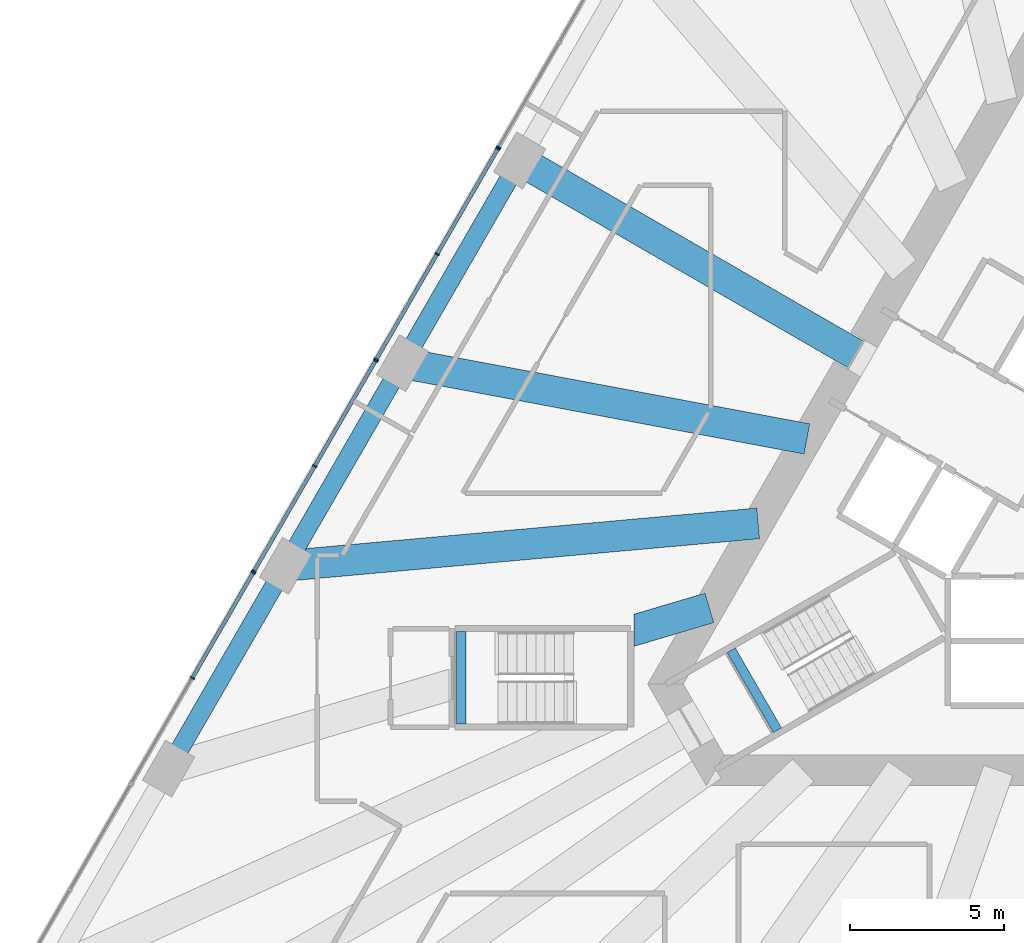
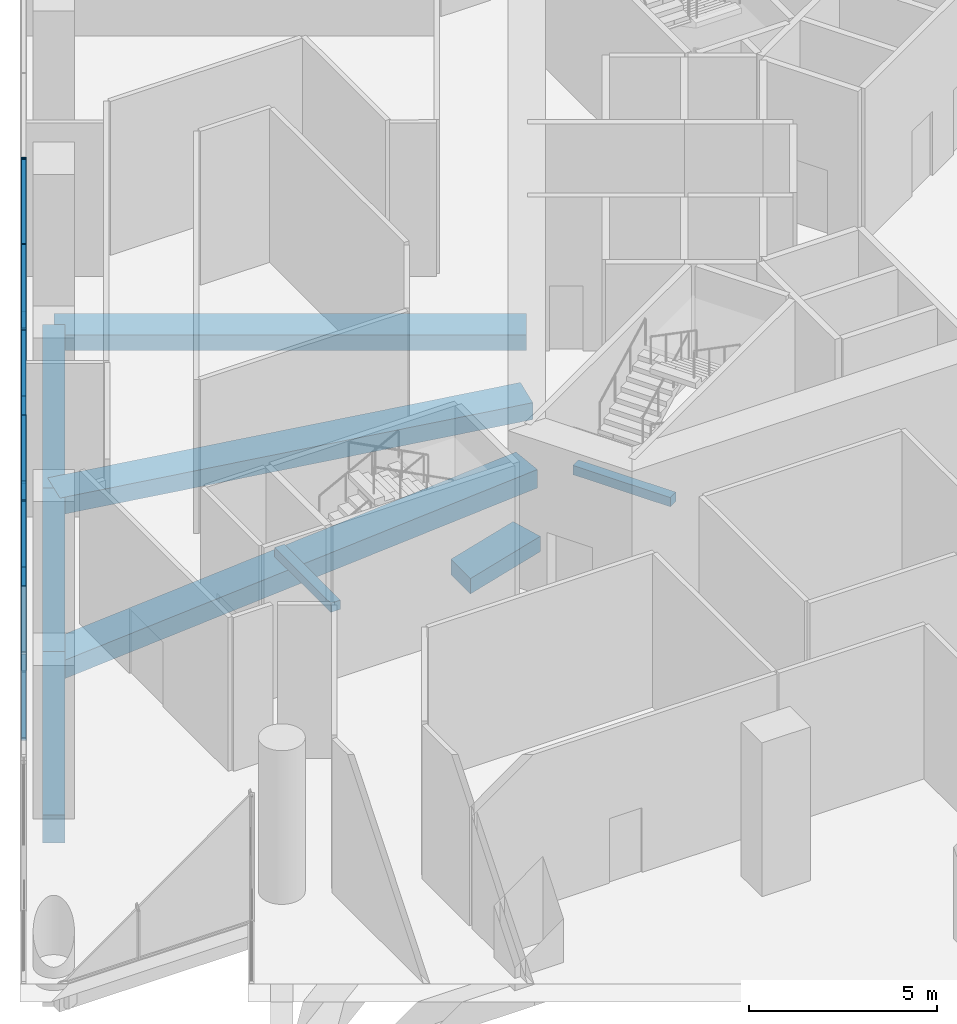
# One storey, part 10 of 29: 19 members, 9 beams, 4 elements without a shape of their own.
"""IFC4 building model written with IfcOpenShell, lengths in metres."""

from ifc_helpers import new_model, si_unit, direction, frame, origin, origin_2d, place, context, subcontext, project, spatial, rectangle, extrude, clip, halfspace, material, layer, layer_set, material_profile, profile_set, type_object, element, aggregate, save


model = new_model("IFC4")

# Units and contexts
model_context = context("Model", 3, precision=1e-05, world=origin(), true_north=direction((0.0, 1.0)))
body_context = subcontext(model_context, "Body", "Model", "MODEL_VIEW")
ifc_project = project(units=[si_unit("LENGTHUNIT", "METRE"), si_unit("AREAUNIT", "SQUARE_METRE"), si_unit("VOLUMEUNIT", "CUBIC_METRE"), si_unit("PLANEANGLEUNIT", "RADIAN"), si_unit("MASSUNIT", "GRAM", prefix="KILO")], contexts=[model_context])

# Site, building, storey
site_placement = place(None, origin())
site = spatial("IfcSite", under=ifc_project, at=site_placement, CompositionType="ELEMENT")
building_placement = place(site_placement, origin())
building = spatial("IfcBuilding", under=site, at=building_placement, Name="Triada Interchange Tower", CompositionType="ELEMENT")
storey_placement = place(building_placement, frame((0.0, 0.0, 19.89990234375)))
storey = spatial("IfcBuildingStorey", under=building, at=storey_placement, Name="L03", CompositionType="ELEMENT", Elevation=19.89990234375)

# Beams
ifc_material_1 = material(Name="Concrete C35/45", Category="concrete")
ifc_material_profile_1 = material_profile(ifc_material_1, rectangle(XDim=0.300048828125, YDim=0.300048828125, at=origin_2d()), Name="RC 300x300")
ifc_profile_set_1 = profile_set([ifc_material_profile_1], Name="Concrete C35/45")
beam_type_1 = type_object("IfcBeamType", Name="Landing support beam RC 300x300", PredefinedType="BEAM", material=ifc_profile_set_1)
beam_1_placement = place(storey_placement, frame((-11.8349609375, -5.10107421875, 2.191162109375), z_axis=(0.50002537861, -0.866010750942, 0.0), x_axis=(0.866010750942, 0.50002537861, 0.0)))
element("IfcBeam", 1, at=beam_1_placement, inside=storey, type_object=beam_type_1, Name="Landing support beam S03-2 1", PredefinedType="BEAM", context=body_context, shape_type="SweptSolid", body=[
    extrude(rectangle(XDim=0.300048828125, YDim=0.300048828125, at=origin_2d()), origin(), (0.0, 0.0, 1.0), 2.999755859375),
])
beam_2_placement = place(storey_placement, frame((-20.60009765625, -4.5, 2.191162109375), z_axis=(0.0, -1.0, 0.0), x_axis=(1.0, 0.0, 0.0)))
element("IfcBeam", 2, at=beam_2_placement, inside=storey, type_object=beam_type_1, Name="Landing support beam S03-6 1", PredefinedType="BEAM", context=body_context, shape_type="SweptSolid", body=[
    extrude(rectangle(XDim=0.300048828125, YDim=0.300048828125, at=origin_2d()), origin(), (0.0, 0.0, 1.0), 3.0),
])

# Curtain wall, member
ifc_material_2 = material(Name="Aluminium framed glazing", Category="aluminium")
ifc_layer = layer(ifc_material_2, 0.199951171875)
ifc_layer_set = layer_set([ifc_layer], Name="Curtain wall Retail shopfront")
curtain_wall_type = type_object("IfcCurtainWallType", Name="Curtain wall Retail shopfront", PredefinedType="NOTDEFINED", material=ifc_layer_set)
curtain_wall_1_placement = place(storey_placement, origin())
curtain_wall_1 = element("IfcCurtainWall", 3, at=curtain_wall_1_placement, inside=storey, type_object=curtain_wall_type, Name="Retail shopfront CW026 L03", PredefinedType="NOTDEFINED")
ifc_material_3 = material(Name="Aluminium", Category="aluminium")
ifc_material_profile_2 = material_profile(ifc_material_3, rectangle(XDim=0.14990234375, YDim=0.050048828125, at=origin_2d()), Name="Aluminium mullion")
ifc_profile_set_2 = profile_set([ifc_material_profile_2], Name="Aluminium")
member_type_1 = type_object("IfcMemberType", Name="Mullion Retail shopfront 150x50", PredefinedType="MULLION", material=ifc_profile_set_2)
member_1_placement = place(storey_placement, frame((-19.383544921875, 11.2255859375, 0.0), z_axis=(0.0, 0.0, 1.0), x_axis=(0.866086968603, -0.499893351442, 0.0)))
member_1 = element("IfcMember", 4, at=member_1_placement, type_object=member_type_1, Name="CW026 mullion 3", PredefinedType="MULLION", context=body_context, shape_type="SweptSolid", body=[
    extrude(rectangle(XDim=0.14990234375, YDim=0.050048828125, at=origin_2d()), origin(), (0.0, 0.0, 1.0), 5.0),
])
aggregate(curtain_wall_1, [member_1])

# Curtain wall, members
curtain_wall_2_placement = place(storey_placement, origin())
curtain_wall_2 = element("IfcCurtainWall", 5, at=curtain_wall_2_placement, inside=storey, type_object=curtain_wall_type, Name="Retail shopfront CW027 L03", PredefinedType="NOTDEFINED")
member_2_placement = place(storey_placement, frame((-19.41455078125, 11.17431640625, 0.0), z_axis=(0.0, 0.0, 1.0), x_axis=(0.866086968603, -0.499893351442, 0.0)))
member_2 = element("IfcMember", 6, at=member_2_placement, type_object=member_type_1, Name="CW027 mullion 1", PredefinedType="MULLION", context=body_context, shape_type="SweptSolid", body=[
    extrude(rectangle(XDim=0.14990234375, YDim=0.050048828125, at=origin_2d()), origin(), (0.0, 0.0, 1.0), 5.0),
])
member_3_placement = place(storey_placement, frame((-21.385498046875, 7.759521484375, 0.0), z_axis=(0.0, 0.0, 1.0), x_axis=(0.866086968603, -0.499893351442, 0.0)))
member_3 = element("IfcMember", 7, at=member_3_placement, type_object=member_type_1, Name="CW027 mullion 2", PredefinedType="MULLION", context=body_context, shape_type="SweptSolid", body=[
    extrude(rectangle(XDim=0.14990234375, YDim=0.050048828125, at=origin_2d()), origin(), (0.0, 0.0, 1.0), 5.0),
])
member_4_placement = place(storey_placement, frame((-23.3564453125, 4.3447265625, 0.0), z_axis=(0.0, 0.0, 1.0), x_axis=(0.866086968603, -0.499893351442, 0.0)))
member_4 = element("IfcMember", 8, at=member_4_placement, type_object=member_type_1, Name="CW027 mullion 3", PredefinedType="MULLION", context=body_context, shape_type="SweptSolid", body=[
    extrude(rectangle(XDim=0.14990234375, YDim=0.050048828125, at=origin_2d()), origin(), (0.0, 0.0, 1.0), 5.0),
])

curtain_wall_3_placement = place(storey_placement, origin())
curtain_wall_3 = element("IfcCurtainWall", 9, at=curtain_wall_3_placement, inside=storey, type_object=curtain_wall_type, Name="Retail shopfront CW028 L03", PredefinedType="NOTDEFINED")
member_5_placement = place(storey_placement, frame((-23.387451171875, 4.292236328125, 0.0), z_axis=(0.0, 0.0, 1.0), x_axis=(0.866055473648, -0.499947913852, 0.0)))
member_5 = element("IfcMember", 10, at=member_5_placement, type_object=member_type_1, Name="CW028 mullion 1", PredefinedType="MULLION", context=body_context, shape_type="SweptSolid", body=[
    extrude(rectangle(XDim=0.14990234375, YDim=0.050048828125, at=origin_2d()), origin(), (0.0, 0.0, 1.0), 5.0),
])
member_6_placement = place(storey_placement, frame((-25.3583984375, 0.8779296875, 0.0), z_axis=(0.0, 0.0, 1.0), x_axis=(0.866055473648, -0.499947913852, 0.0)))
member_6 = element("IfcMember", 11, at=member_6_placement, type_object=member_type_1, Name="CW028 mullion 2", PredefinedType="MULLION", context=body_context, shape_type="SweptSolid", body=[
    extrude(rectangle(XDim=0.14990234375, YDim=0.050048828125, at=origin_2d()), origin(), (0.0, 0.0, 1.0), 5.0),
])
member_7_placement = place(storey_placement, frame((-27.32958984375, -2.536376953125, 0.0), z_axis=(0.0, 0.0, 1.0), x_axis=(0.866055473648, -0.499947913852, 0.0)))
member_7 = element("IfcMember", 12, at=member_7_placement, type_object=member_type_1, Name="CW028 mullion 3", PredefinedType="MULLION", context=body_context, shape_type="SweptSolid", body=[
    extrude(rectangle(XDim=0.14990234375, YDim=0.050048828125, at=origin_2d()), origin(), (0.0, 0.0, 1.0), 5.0),
])

curtain_wall_4_placement = place(storey_placement, origin())
curtain_wall_4 = element("IfcCurtainWall", 13, at=curtain_wall_4_placement, inside=storey, type_object=curtain_wall_type, Name="Retail shopfront CW029 L03", PredefinedType="NOTDEFINED")
member_8_placement = place(storey_placement, frame((-27.360595703125, -2.588623046875, 0.0), z_axis=(0.0, 0.0, 1.0), x_axis=(0.866055473648, -0.499947913852, 0.0)))
member_8 = element("IfcMember", 14, at=member_8_placement, type_object=member_type_1, Name="CW029 mullion 1", PredefinedType="MULLION", context=body_context, shape_type="SweptSolid", body=[
    extrude(rectangle(XDim=0.14990234375, YDim=0.050048828125, at=origin_2d()), origin(), (0.0, 0.0, 1.0), 5.0),
])
member_9_placement = place(storey_placement, frame((-29.33154296875, -6.0029296875, 0.0), z_axis=(0.0, 0.0, 1.0), x_axis=(0.866055473648, -0.499947913852, 0.0)))
member_9 = element("IfcMember", 15, at=member_9_placement, type_object=member_type_1, Name="CW029 mullion 2", PredefinedType="MULLION", context=body_context, shape_type="SweptSolid", body=[
    extrude(rectangle(XDim=0.14990234375, YDim=0.050048828125, at=origin_2d()), origin(), (0.0, 0.0, 1.0), 5.0),
])

# Beams
ifc_material_4 = material(Name="Concrete C50/60", Category="concrete")
ifc_material_profile_3 = material_profile(ifc_material_4, rectangle(XDim=1.0, YDim=0.5, at=origin_2d()), Name="RC 1000x500")
ifc_profile_set_3 = profile_set([ifc_material_profile_3], Name="Concrete C50/60")
beam_type_2 = type_object("IfcBeamType", Name="Radial band beam P RC 1000x500", PredefinedType="BEAM", material=ifc_profile_set_3)
beam_3_placement = place(storey_placement, frame((-18.7060546875, 10.800048828125, -0.64990234375), z_axis=(0.866027481415, -0.499996401421, 0.0), x_axis=(0.499996401421, 0.866027481415, 0.0)))
element("IfcBeam", 16, at=beam_3_placement, inside=storey, type_object=beam_type_2, Name="Radial band beam BP05 L03", PredefinedType="BEAM", context=body_context, shape_type="SweptSolid", body=[
    extrude(rectangle(XDim=1.0, YDim=0.5, at=origin_2d()), origin(), (0.0, 0.0, 1.0), 12.60009765625),
])
beam_4_placement = place(storey_placement, frame((-16.43798828125, -4.884033203125, -0.64990234375), z_axis=(0.95858381739, 0.284810577468, 0.0), x_axis=(-0.284810577468, 0.95858381739, 0.0)))
element("IfcBeam", 17, at=beam_4_placement, inside=storey, type_object=beam_type_2, Name="Radial band beam BP08B L03", PredefinedType="BEAM", context=body_context, shape_type="Clipping", body=[
    clip(extrude(rectangle(XDim=1.0, YDim=0.5, at=origin_2d()), origin(), (0.0, 0.0, 1.0), 4.062255859375), halfspace(frame((0.150146484375, -19.25, 1.544677734375), z_axis=(0.284810577468, 0.0, -0.95858381739), x_axis=(0.0, -1.0, 0.0)), False)),
])
ifc_material_profile_4 = material_profile(ifc_material_4, rectangle(XDim=1.0, YDim=0.550048828125, at=origin_2d()), Name="RC 1000x550")
ifc_profile_set_4 = profile_set([ifc_material_profile_4], Name="Concrete C50/60")
beam_type_3 = type_object("IfcBeamType", Name="Radial band beam P RC 1000x550", PredefinedType="BEAM", material=ifc_profile_set_4)
beam_5_placement = place(storey_placement, frame((-22.506103515625, 4.218994140625, -0.6748046875), z_axis=(0.982880256044, -0.184245494596, 0.0), x_axis=(0.184245494596, 0.982880256044, 0.0)))
element("IfcBeam", 18, at=beam_5_placement, inside=storey, type_object=beam_type_3, Name="Radial band beam BP06 L03", PredefinedType="BEAM", context=body_context, shape_type="SweptSolid", body=[
    extrude(rectangle(XDim=1.0, YDim=0.550048828125, at=origin_2d()), origin(), (0.0, 0.0, 1.0), 13.35693359375),
])
ifc_material_profile_5 = material_profile(ifc_material_4, rectangle(XDim=1.0, YDim=0.60009765625, at=origin_2d()), Name="RC 1000x600")
ifc_profile_set_5 = profile_set([ifc_material_profile_5], Name="Concrete C50/60")
beam_type_4 = type_object("IfcBeamType", Name="Radial band beam P RC 1000x600", PredefinedType="BEAM", material=ifc_profile_set_5)
beam_6_placement = place(storey_placement, frame((-26.305908203125, -2.362060546875, -0.699951171875), z_axis=(0.995991072831, 0.089452684934, 0.0), x_axis=(-0.089452684934, 0.995991072831, 0.0)))
element("IfcBeam", 19, at=beam_6_placement, inside=storey, type_object=beam_type_4, Name="Radial band beam BP07 L03", PredefinedType="BEAM", context=body_context, shape_type="SweptSolid", body=[
    extrude(rectangle(XDim=1.0, YDim=0.60009765625, at=origin_2d()), origin(), (0.0, 0.0, 1.0), 15.40673828125),
])
ifc_material_profile_6 = material_profile(ifc_material_4, rectangle(XDim=0.60009765625, YDim=0.89990234375, at=origin_2d()), Name="RC 600x900")
ifc_profile_set_6 = profile_set([ifc_material_profile_6], Name="Concrete C50/60")
beam_type_5 = type_object("IfcBeamType", Name="Spandrel beam P RC 600x900", PredefinedType="BEAM", material=ifc_profile_set_6)
for number, where, z_axis, x_axis, name in (
    (20, (-18.7060546875, 10.800048828125, -0.849853515625), (-0.500046891162, -0.865998329467, 0.0), (0.865998329467, -0.500046891162, 0.0), "Spandrel beam EP05 L03"),
    (21, (-22.506103515625, 4.218994140625, -0.849853515625), (-0.500022797313, -0.86601224135, 0.0), (0.86601224135, -0.500022797313, 0.0), "Spandrel beam EP06 L03"),
):
    element("IfcBeam", number, at=place(storey_placement, frame(where, z_axis=z_axis, x_axis=x_axis)), inside=storey, type_object=beam_type_5, Name=name, PredefinedType="BEAM", context=body_context, shape_type="SweptSolid", body=[
        extrude(rectangle(XDim=0.60009765625, YDim=0.89990234375, at=origin_2d()), origin(), (0.0, 0.0, 1.0), 7.599365234375),
    ])
beam_7_placement = place(storey_placement, frame((-26.305908203125, -2.362060546875, -0.849853515625), z_axis=(-0.499894869559, -0.866086092366, 0.0), x_axis=(0.866086092366, -0.499894869559, 0.0)))
element("IfcBeam", 22, at=beam_7_placement, inside=storey, type_object=beam_type_5, Name="Spandrel beam EP07 L03", PredefinedType="BEAM", context=body_context, shape_type="SweptSolid", body=[
    extrude(rectangle(XDim=0.60009765625, YDim=0.89990234375, at=origin_2d()), origin(), (0.0, 0.0, 1.0), 7.599853515625),
])

# Member
ifc_material_profile_7 = material_profile(ifc_material_3, rectangle(XDim=0.1201171875, YDim=0.050048828125, at=origin_2d()), Name="Aluminium transom")
ifc_profile_set_7 = profile_set([ifc_material_profile_7], Name="Aluminium")
member_type_2 = type_object("IfcMemberType", Name="Transom Retail shopfront 120x50", PredefinedType="USERDEFINED", material=ifc_profile_set_7)
member_10_placement = place(storey_placement, frame((-19.427001953125, 11.152587890625, 0.025146484375), z_axis=(-0.499923331814, -0.866069663658, 0.0), x_axis=(0.866069663658, -0.499923331814, 0.0)))
member_10 = element("IfcMember", 23, at=member_10_placement, type_object=member_type_2, Name="CW027 transom 1.1", ObjectType="TRANSOM", PredefinedType="USERDEFINED", context=body_context, shape_type="SweptSolid", body=[
    extrude(rectangle(XDim=0.1201171875, YDim=0.050048828125, at=origin_2d()), origin(), (0.0, 0.0, 1.0), 3.892578125),
])

member_11_placement = place(storey_placement, frame((-19.427001953125, 11.152587890625, 4.97509765625), z_axis=(-0.499923331814, -0.866069663658, 0.0), x_axis=(0.866069663658, -0.499923331814, 0.0)))
member_11 = element("IfcMember", 24, at=member_11_placement, type_object=member_type_2, Name="CW027 transom 1.2", ObjectType="TRANSOM", PredefinedType="USERDEFINED", context=body_context, shape_type="SweptSolid", body=[
    extrude(rectangle(XDim=0.1201171875, YDim=0.050048828125, at=origin_2d()), origin(), (0.0, 0.0, 1.0), 3.892578125),
])

member_12_placement = place(storey_placement, frame((-21.39794921875, 7.73779296875, 0.025146484375), z_axis=(-0.499896178229, -0.866085337015, 0.0), x_axis=(0.866085337015, -0.499896178229, 0.0)))
member_12 = element("IfcMember", 25, at=member_12_placement, type_object=member_type_2, Name="CW027 transom 2.1", ObjectType="TRANSOM", PredefinedType="USERDEFINED", context=body_context, shape_type="SweptSolid", body=[
    extrude(rectangle(XDim=0.1201171875, YDim=0.050048828125, at=origin_2d()), origin(), (0.0, 0.0, 1.0), 3.892822265625),
])

member_13_placement = place(storey_placement, frame((-21.39794921875, 7.73779296875, 4.97509765625), z_axis=(-0.499896178229, -0.866085337015, 0.0), x_axis=(0.866085337015, -0.499896178229, 0.0)))
member_13 = element("IfcMember", 26, at=member_13_placement, type_object=member_type_2, Name="CW027 transom 2.2", ObjectType="TRANSOM", PredefinedType="USERDEFINED", context=body_context, shape_type="SweptSolid", body=[
    extrude(rectangle(XDim=0.1201171875, YDim=0.050048828125, at=origin_2d()), origin(), (0.0, 0.0, 1.0), 3.892822265625),
])

aggregate(curtain_wall_2, [member_2, member_3, member_4, member_10, member_11, member_12, member_13])

member_14_placement = place(storey_placement, frame((-23.39990234375, 4.270751953125, 0.025146484375), z_axis=(-0.499950487857, -0.866053987747, 0.0), x_axis=(0.866053987747, -0.499950487857, 0.0)))
member_14 = element("IfcMember", 27, at=member_14_placement, type_object=member_type_2, Name="CW028 transom 1.1", ObjectType="TRANSOM", PredefinedType="USERDEFINED", context=body_context, shape_type="SweptSolid", body=[
    extrude(rectangle(XDim=0.1201171875, YDim=0.050048828125, at=origin_2d()), origin(), (0.0, 0.0, 1.0), 3.892578125),
])

member_15_placement = place(storey_placement, frame((-23.39990234375, 4.270751953125, 4.97509765625), z_axis=(-0.499950487857, -0.866053987747, 0.0), x_axis=(0.866053987747, -0.499950487857, 0.0)))
member_15 = element("IfcMember", 28, at=member_15_placement, type_object=member_type_2, Name="CW028 transom 1.2", ObjectType="TRANSOM", PredefinedType="USERDEFINED", context=body_context, shape_type="SweptSolid", body=[
    extrude(rectangle(XDim=0.1201171875, YDim=0.050048828125, at=origin_2d()), origin(), (0.0, 0.0, 1.0), 3.892578125),
])

member_16_placement = place(storey_placement, frame((-25.37109375, 0.8564453125, 0.025146484375), z_axis=(-0.499903441657, -0.866081144593, 0.0), x_axis=(0.866081144593, -0.499903441657, 0.0)))
member_16 = element("IfcMember", 29, at=member_16_placement, type_object=member_type_2, Name="CW028 transom 2.1", ObjectType="TRANSOM", PredefinedType="USERDEFINED", context=body_context, shape_type="SweptSolid", body=[
    extrude(rectangle(XDim=0.1201171875, YDim=0.050048828125, at=origin_2d()), origin(), (0.0, 0.0, 1.0), 3.892333984375),
])

member_17_placement = place(storey_placement, frame((-25.37109375, 0.8564453125, 4.97509765625), z_axis=(-0.499903441657, -0.866081144593, 0.0), x_axis=(0.866081144593, -0.499903441657, 0.0)))
member_17 = element("IfcMember", 30, at=member_17_placement, type_object=member_type_2, Name="CW028 transom 2.2", ObjectType="TRANSOM", PredefinedType="USERDEFINED", context=body_context, shape_type="SweptSolid", body=[
    extrude(rectangle(XDim=0.1201171875, YDim=0.050048828125, at=origin_2d()), origin(), (0.0, 0.0, 1.0), 3.892333984375),
])

aggregate(curtain_wall_3, [member_5, member_6, member_7, member_14, member_15, member_16, member_17])

member_18_placement = place(storey_placement, frame((-27.373046875, -2.6103515625, 0.025146484375), z_axis=(-0.499950487857, -0.866053987747, 0.0), x_axis=(0.866053987747, -0.499950487857, 0.0)))
member_18 = element("IfcMember", 31, at=member_18_placement, type_object=member_type_2, Name="CW029 transom 1.1", ObjectType="TRANSOM", PredefinedType="USERDEFINED", context=body_context, shape_type="SweptSolid", body=[
    extrude(rectangle(XDim=0.1201171875, YDim=0.050048828125, at=origin_2d()), origin(), (0.0, 0.0, 1.0), 3.892578125),
])

member_19_placement = place(storey_placement, frame((-27.373046875, -2.6103515625, 4.97509765625), z_axis=(-0.499950487857, -0.866053987747, 0.0), x_axis=(0.866053987747, -0.499950487857, 0.0)))
member_19 = element("IfcMember", 32, at=member_19_placement, type_object=member_type_2, Name="CW029 transom 1.2", ObjectType="TRANSOM", PredefinedType="USERDEFINED", context=body_context, shape_type="SweptSolid", body=[
    extrude(rectangle(XDim=0.1201171875, YDim=0.050048828125, at=origin_2d()), origin(), (0.0, 0.0, 1.0), 3.892578125),
])

aggregate(curtain_wall_4, [member_8, member_9, member_18, member_19])

save(model, "model.ifc")
